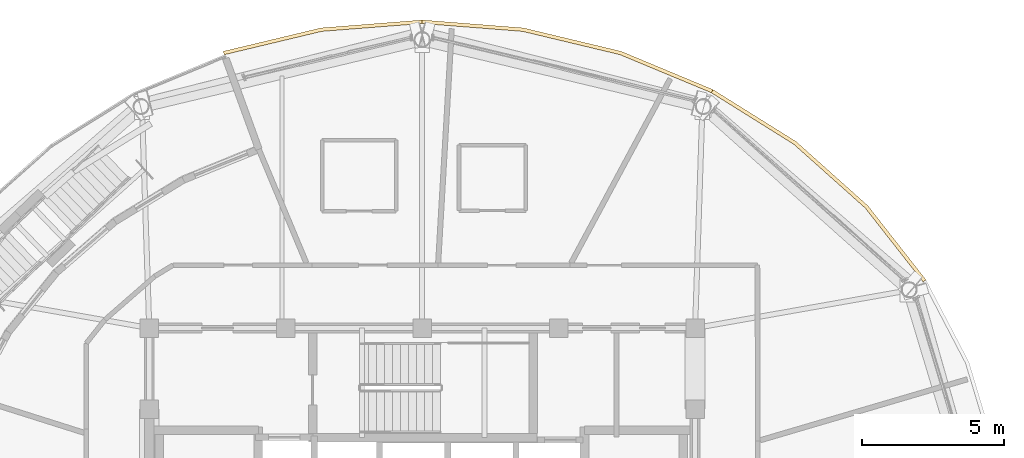
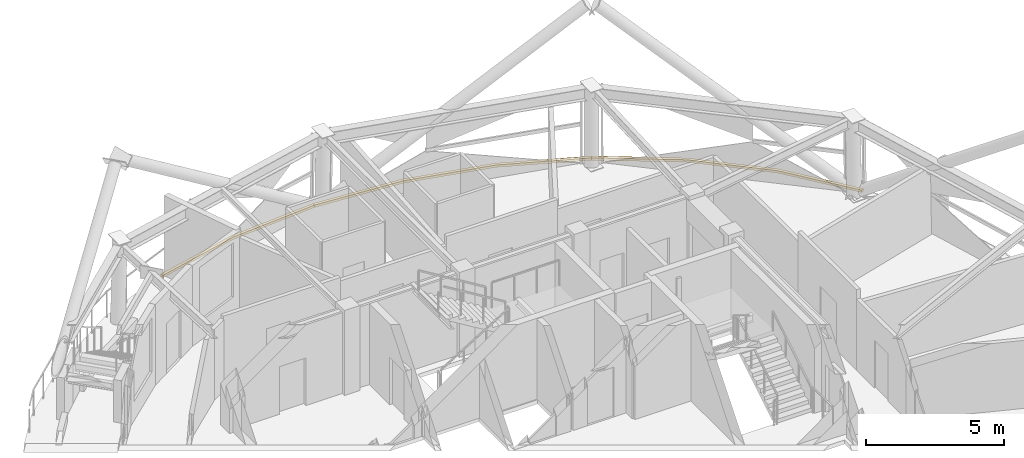
# One storey, part 16 of 16: 3 coverings.
"""IFC4 building model written with IfcOpenShell, lengths in metres."""

from ifc_helpers import new_model, si_unit, direction, frame, origin, place, context, subcontext, project, spatial, polyline, outline, extrude, material, layer, layer_set, type_object, element, save


model = new_model("IFC4")

# Units and contexts
model_context = context("Model", 3, precision=1e-05, world=origin(), true_north=direction((0.0, 1.0)))
body_context = subcontext(model_context, "Body", "Model", "MODEL_VIEW")
ifc_project = project(units=[si_unit("LENGTHUNIT", "METRE"), si_unit("AREAUNIT", "SQUARE_METRE"), si_unit("VOLUMEUNIT", "CUBIC_METRE"), si_unit("PLANEANGLEUNIT", "RADIAN"), si_unit("MASSUNIT", "GRAM", prefix="KILO")], contexts=[model_context])

# Site, building, storey
site_placement = place(None, origin())
site = spatial("IfcSite", under=ifc_project, at=site_placement, CompositionType="ELEMENT")
building_placement = place(site_placement, origin())
building = spatial("IfcBuilding", under=site, at=building_placement, Name="Vantalir Tower", CompositionType="ELEMENT")
storey_placement = place(building_placement, frame((0.0, 0.0, 267.60009765625)))
storey = spatial("IfcBuildingStorey", under=building, at=storey_placement, Name="L67", CompositionType="ELEMENT", Elevation=267.60009765625)

# Coverings
ifc_material = material(Name="Anodised champagne aluminium sill fascia", Category="aluminium")
ifc_layer = layer(ifc_material, 0.125)
ifc_layer_set = layer_set([ifc_layer], Name="Anodised champagne aluminium sill fascia")
covering_type = type_object("IfcCoveringType", Name="COV-SLAB-FASCIA-125", PredefinedType="CLADDING", material=ifc_layer_set)
covering_1_placement = place(storey_placement, frame((0.0, 0.0, -0.18017578125)))
element("IfcCovering", 1, at=covering_1_placement, inside=storey, type_object=covering_type, Name="L67 Perimeter Slab-Edge Sill Fascia 02", PredefinedType="CLADDING", context=body_context, shape_type="SweptSolid", body=[
    extrude(outline(polyline([(49.222900390625, 34.14306640625), (47.177001953125, 36.75390625), (44.655029296875, 39.008056640625), (41.73291015625, 40.8359375), (41.669921875, 40.72802734375), (44.573974609375, 38.912109375), (47.0810546875, 36.674072265625), (49.114990234375, 34.080078125), (49.222900390625, 34.14306640625)])), origin(), (0.0, 0.0, 1.0), 0.10498046875),
])
covering_2_placement = place(storey_placement, frame((0.0, 0.0, -0.18017578125)))
element("IfcCovering", 2, at=covering_2_placement, inside=storey, type_object=covering_type, Name="L67 Perimeter Slab-Edge Sill Fascia 03", PredefinedType="CLADDING", context=body_context, shape_type="SweptSolid", body=[
    extrude(outline(polyline([(41.73291015625, 40.8359375), (38.4990234375, 42.18310546875), (35.053955078125, 43.008056640625), (31.5, 43.285888671875), (31.5, 43.160888671875), (35.031982421875, 42.885009765625), (38.45703125, 42.06591796875), (41.669921875, 40.72802734375), (41.73291015625, 40.8359375)])), origin(), (0.0, 0.0, 1.0), 0.10498046875),
])
covering_3_placement = place(storey_placement, frame((0.0, 0.0, -0.18017578125)))
element("IfcCovering", 3, at=covering_3_placement, inside=storey, type_object=covering_type, Name="L67 Perimeter Slab-Edge Sill Fascia 04", PredefinedType="CLADDING", context=body_context, shape_type="SweptSolid", body=[
    extrude(outline(polyline([(31.5, 43.285888671875), (27.946044921875, 43.008056640625), (24.5009765625, 42.18310546875), (24.54296875, 42.06591796875), (27.968017578125, 42.885009765625), (31.5, 43.160888671875), (31.5, 43.285888671875)])), origin(), (0.0, 0.0, 1.0), 0.10498046875),
])

save(model, "model.ifc")
